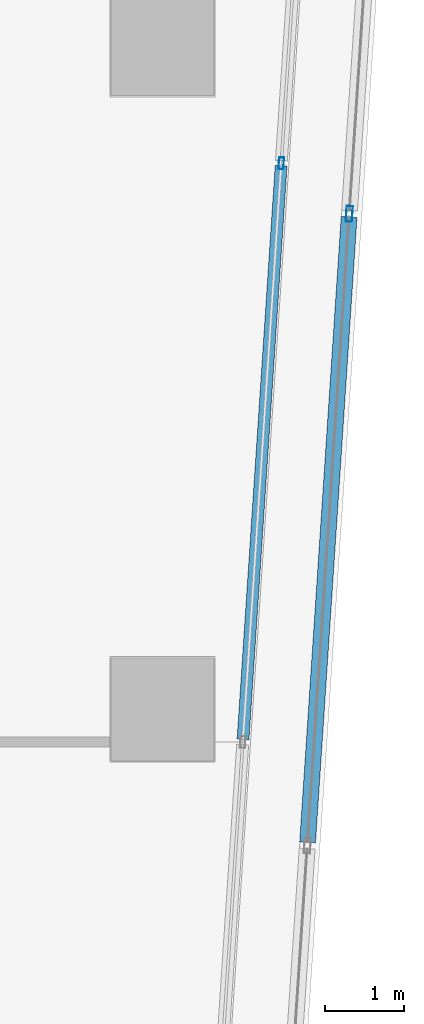
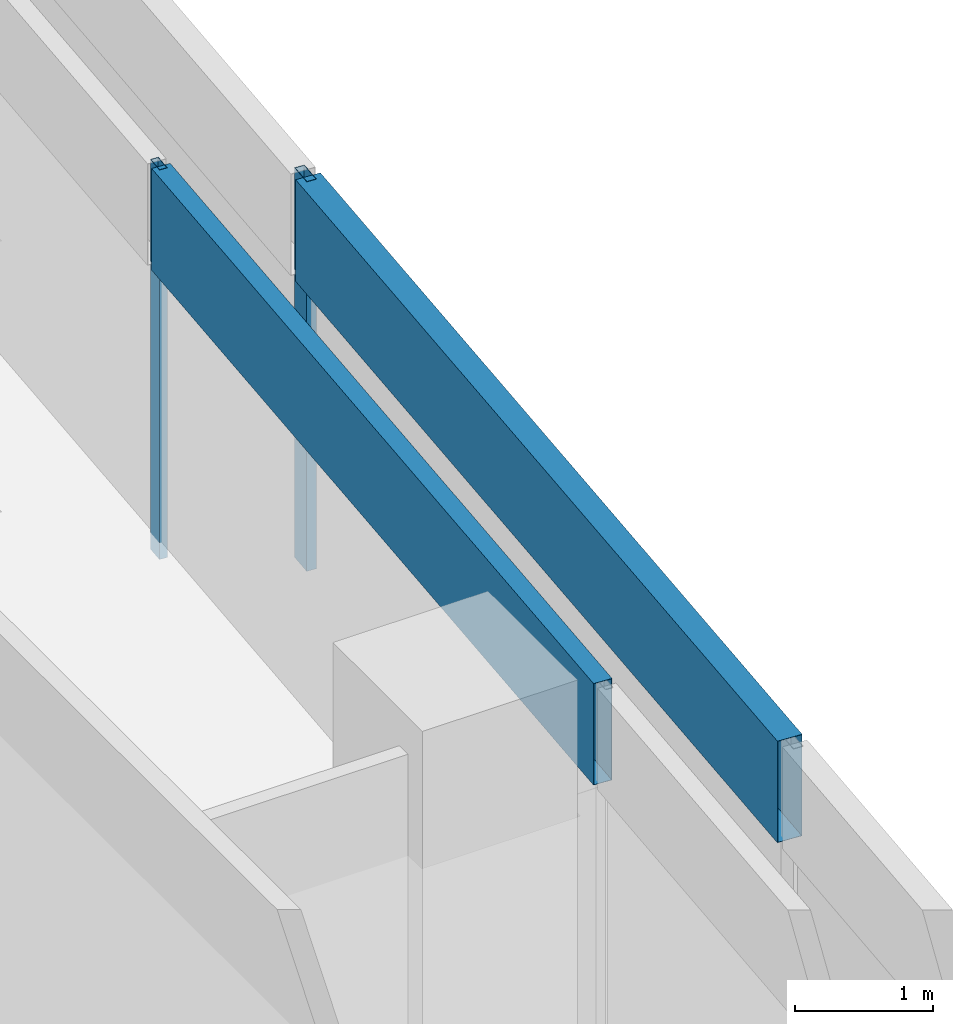
# One storey, part 12 of 30: 4 members, 2 elements without a shape of their own.
"""IFC4 building model written with IfcOpenShell, lengths in metres."""

from ifc_helpers import new_model, si_unit, direction, frame, origin, origin_2d, place, context, subcontext, project, spatial, hollow_rectangle, extrude, material, material_profile, profile_set, type_object, element, aggregate, save


model = new_model("IFC4")

# Units and contexts
model_context = context("Model", 3, precision=1e-05, world=origin(), true_north=direction((0.0, 1.0)))
body_context = subcontext(model_context, "Body", "Model", "MODEL_VIEW")
ifc_project = project(units=[si_unit("LENGTHUNIT", "METRE"), si_unit("AREAUNIT", "SQUARE_METRE"), si_unit("VOLUMEUNIT", "CUBIC_METRE"), si_unit("PLANEANGLEUNIT", "RADIAN"), si_unit("MASSUNIT", "GRAM", prefix="KILO")], contexts=[model_context])

# Site, building, storey
site_placement = place(None, origin())
site = spatial("IfcSite", under=ifc_project, at=site_placement, CompositionType="ELEMENT")
building_placement = place(site_placement, origin())
building = spatial("IfcBuilding", under=site, at=building_placement, Name="Rekha Terrace Tower", CompositionType="ELEMENT")
storey_placement = place(building_placement, frame((0.0, 0.0, 287.60009765625)))
storey = spatial("IfcBuildingStorey", under=building, at=storey_placement, Name="L73", CompositionType="ELEMENT", Elevation=287.60009765625)

# Curtain wall, members
ifc_material_1 = material(Name="Aluminium framing", Category="aluminium")
curtain_wall_type_1 = type_object("IfcCurtainWallType", Name="CW1 double skin inner glazing", PredefinedType="USERDEFINED", material=ifc_material_1)
curtain_wall_1_placement = place(storey_placement, origin())
curtain_wall_1 = element("IfcCurtainWall", 1, at=curtain_wall_1_placement, inside=storey, type_object=curtain_wall_type_1, Name="CW1 double skin inner glazing", ObjectType="DOUBLE SKIN INNER GLAZING", PredefinedType="USERDEFINED")
ifc_material_2 = material(Name="Aluminium mullion section", Category="aluminium")
ifc_material_profile_1 = material_profile(ifc_material_2, hollow_rectangle(XDim=0.06494140625, YDim=0.14990234375, WallThickness=0.00390625, at=origin_2d()), Name="AL RHS 65x150")
ifc_profile_set_1 = profile_set([ifc_material_profile_1], Name="Aluminium mullion section")
member_type_1 = type_object("IfcMemberType", Name="CW1 mullion RHS 65 x 150", PredefinedType="MULLION", material=ifc_profile_set_1)
member_1_placement = place(storey_placement, frame((60.300048828125, 32.0966796875, 0.0), z_axis=(0.0, 0.0, 1.0), x_axis=(-0.997801621769, 0.066271589649, 0.0)))
member_1 = element("IfcMember", 2, at=member_1_placement, type_object=member_type_1, Name="CW1 mullion 3", PredefinedType="MULLION", context=body_context, shape_type="SweptSolid", body=[
    extrude(hollow_rectangle(XDim=0.06494140625, YDim=0.14990234375, WallThickness=0.00390625, at=origin_2d()), origin(), (0.0, 0.0, 1.0), 3.449951171875),
])
ifc_material_3 = material(Name="Insulated aluminium spandrel box", Category="aluminium")
ifc_material_profile_2 = material_profile(ifc_material_3, hollow_rectangle(XDim=0.14990234375, YDim=0.89990234375, WallThickness=0.0029296875, at=origin_2d()), Name="AL SPANDREL BOX 150x900")
ifc_profile_set_2 = profile_set([ifc_material_profile_2], Name="Insulated aluminium spandrel box")
member_type_2 = type_object("IfcMemberType", Name="CW1 spandrel transom 150 x 900", PredefinedType="USERDEFINED", material=ifc_profile_set_2)
member_2_placement = place(storey_placement, frame((59.816650390625, 24.81884765625, 3.0), z_axis=(0.066266851431, 0.997801936459, 0.0), x_axis=(-0.997801936459, 0.066266851431, 0.0)))
member_2 = element("IfcMember", 3, at=member_2_placement, type_object=member_type_2, Name="CW1 spandrel transom 2", ObjectType="TRANSOM", PredefinedType="USERDEFINED", context=body_context, shape_type="SweptSolid", body=[
    extrude(hollow_rectangle(XDim=0.14990234375, YDim=0.89990234375, WallThickness=0.0029296875, at=origin_2d()), origin(), (0.0, 0.0, 1.0), 7.261474609375),
])
aggregate(curtain_wall_1, [member_1, member_2])

curtain_wall_type_2 = type_object("IfcCurtainWallType", Name="CW2 double skin outer glazing", PredefinedType="USERDEFINED", material=ifc_material_1)
curtain_wall_2_placement = place(storey_placement, origin())
curtain_wall_2 = element("IfcCurtainWall", 4, at=curtain_wall_2_placement, inside=storey, type_object=curtain_wall_type_2, Name="CW2 double skin outer glazing", ObjectType="DOUBLE SKIN OUTER GLAZING", PredefinedType="USERDEFINED")
ifc_material_profile_3 = material_profile(ifc_material_2, hollow_rectangle(XDim=0.080078125, YDim=0.199951171875, WallThickness=0.00390625, at=origin_2d()), Name="AL RHS 80x200")
ifc_profile_set_3 = profile_set([ifc_material_profile_3], Name="Aluminium mullion section")
member_type_3 = type_object("IfcMemberType", Name="CW2 mullion RHS 80 x 200", PredefinedType="MULLION", material=ifc_profile_set_3)
member_3_placement = place(storey_placement, frame((61.159423828125, 31.457275390625, 0.0), z_axis=(0.0, 0.0, 1.0), x_axis=(-0.997801621769, 0.066271589649, 0.0)))
member_3 = element("IfcMember", 5, at=member_3_placement, type_object=member_type_3, Name="CW2 mullion 3", PredefinedType="MULLION", context=body_context, shape_type="SweptSolid", body=[
    extrude(hollow_rectangle(XDim=0.080078125, YDim=0.199951171875, WallThickness=0.00390625, at=origin_2d()), origin(), (0.0, 0.0, 1.0), 3.449951171875),
])
ifc_material_profile_4 = material_profile(ifc_material_3, hollow_rectangle(XDim=0.199951171875, YDim=0.89990234375, WallThickness=0.0029296875, at=origin_2d()), Name="AL SPANDREL BOX 200x900")
ifc_profile_set_4 = profile_set([ifc_material_profile_4], Name="Insulated aluminium spandrel box")
member_type_4 = type_object("IfcMemberType", Name="CW2 spandrel transom 200 x 900", PredefinedType="USERDEFINED", material=ifc_profile_set_4)
member_4_placement = place(storey_placement, frame((60.63232421875, 23.51953125, 3.0), z_axis=(0.066252876442, 0.997802864479, 0.0), x_axis=(-0.997802864479, 0.066252876442, 0.0)))
member_4 = element("IfcMember", 6, at=member_4_placement, type_object=member_type_4, Name="CW2 spandrel transom 2", ObjectType="TRANSOM", PredefinedType="USERDEFINED", context=body_context, shape_type="SweptSolid", body=[
    extrude(hollow_rectangle(XDim=0.199951171875, YDim=0.89990234375, WallThickness=0.0029296875, at=origin_2d()), origin(), (0.0, 0.0, 1.0), 7.915283203125),
])
aggregate(curtain_wall_2, [member_3, member_4])

save(model, "model.ifc")
